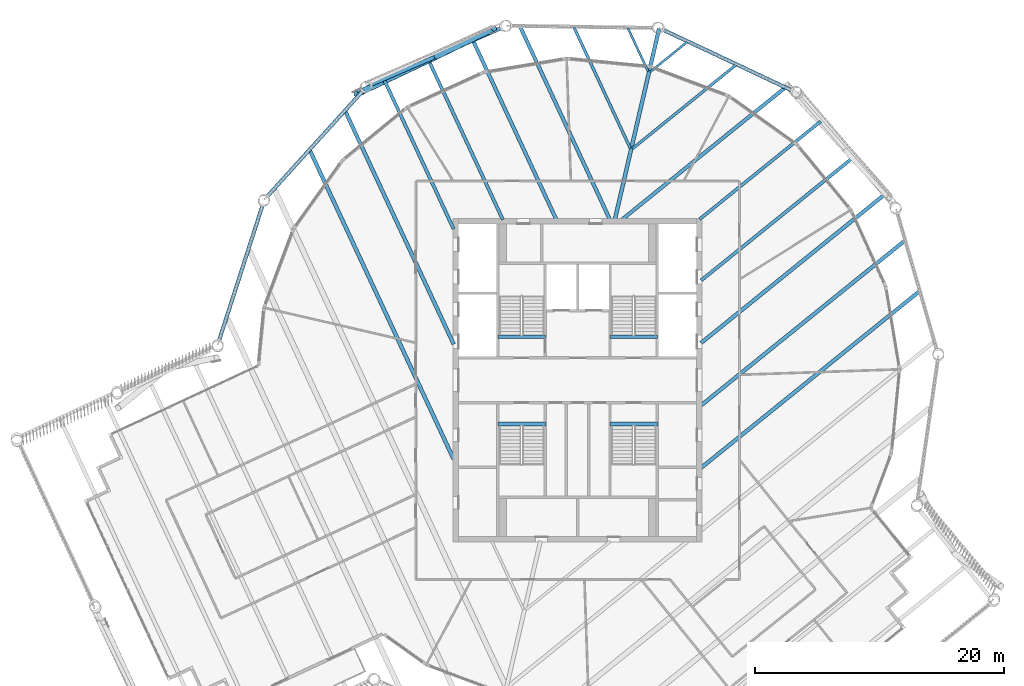
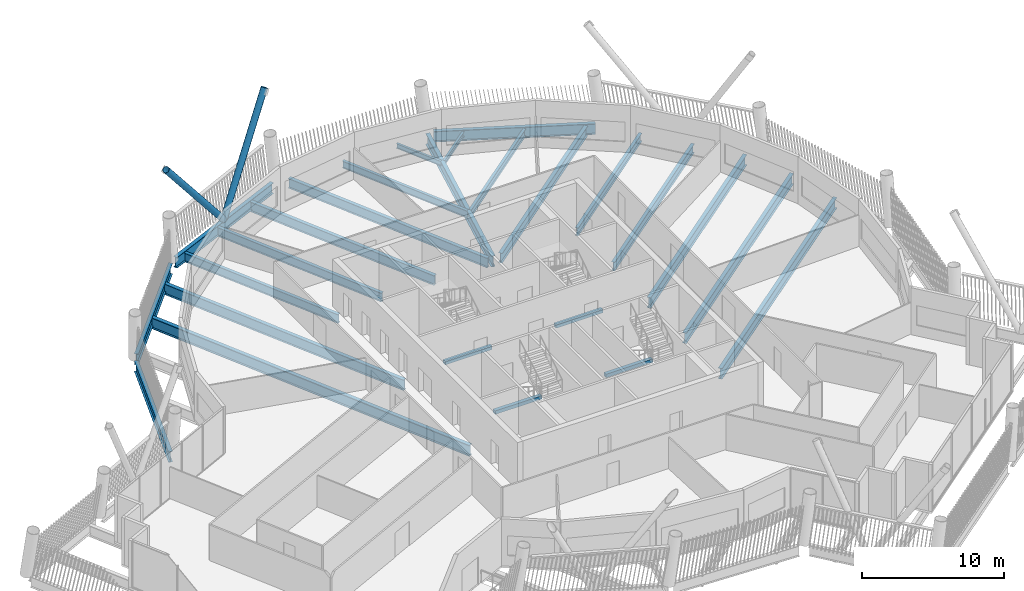
# One storey, part 13 of 36: 25 beams, 2 members.
"""IFC4 building model written with IfcOpenShell, lengths in metres."""

from ifc_helpers import new_model, si_unit, direction, frame, origin, origin_2d, place, context, subcontext, project, spatial, rectangle, hollow_circle, i_section, extrude, material, material_profile, profile_set, type_object, element, save


model = new_model("IFC4")

# Units and contexts
model_context = context("Model", 3, precision=1e-05, world=origin(), true_north=direction((0.0, 1.0)))
body_context = subcontext(model_context, "Body", "Model", "MODEL_VIEW")
ifc_project = project(units=[si_unit("LENGTHUNIT", "METRE"), si_unit("AREAUNIT", "SQUARE_METRE"), si_unit("VOLUMEUNIT", "CUBIC_METRE"), si_unit("PLANEANGLEUNIT", "RADIAN"), si_unit("MASSUNIT", "GRAM", prefix="KILO")], contexts=[model_context])

# Site, building, storey
site_placement = place(None, origin())
site = spatial("IfcSite", under=ifc_project, at=site_placement, CompositionType="ELEMENT")
building_placement = place(site_placement, origin())
building = spatial("IfcBuilding", under=site, at=building_placement, Name="Tarsis Ring Headquarters", CompositionType="ELEMENT")
storey_placement = place(building_placement, frame((0.0, 0.0, 386.0)))
storey = spatial("IfcBuildingStorey", under=building, at=storey_placement, Name="L91", CompositionType="ELEMENT", Elevation=386.0)

# Beams
ifc_material_1 = material(Name="Structural steel S355", Category="steel")
ifc_material_profile_1 = material_profile(ifc_material_1, i_section(OverallWidth=0.177734375, OverallDepth=0.406494140625, WebThickness=0.0078125, FlangeThickness=0.0126953125, at=origin_2d()), Name="W16x40")
ifc_profile_set_1 = profile_set([ifc_material_profile_1], Name="Structural steel S355")
beam_type_1 = type_object("IfcBeamType", Name="FB Floor beam W16x40", PredefinedType="JOIST", material=ifc_profile_set_1)
for number, where, z_axis, x_axis, name in (
    (1, (5.835205078125, 24.780517578125, -0.36328125), (0.777555326019, 0.628814531464, 0.0), (-0.628814531464, 0.777555326019, 0.0), "Floor beam FB1"),
    (2, (4.046142578125, 28.275146484375, -0.36328125), (0.421983246251, -0.906603628872, 0.0), (0.906603628872, 0.421983246251, 0.0), "Floor beam FB1"),
):
    element("IfcBeam", number, at=place(storey_placement, frame(where, z_axis=z_axis, x_axis=x_axis)), inside=storey, type_object=beam_type_1, Name=name, PredefinedType="JOIST", context=body_context, shape_type="SweptSolid", body=[
        extrude(i_section(OverallWidth=0.177734375, OverallDepth=0.406494140625, WebThickness=0.0078125, FlangeThickness=0.0126953125, at=origin_2d()), origin(), (0.0, 0.0, 1.0), 3.80810546875),
    ])
ifc_material_profile_2 = material_profile(ifc_material_1, i_section(OverallWidth=0.228271484375, OverallDepth=0.607177734375, WebThickness=0.01123046875, FlangeThickness=0.017333984375, at=origin_2d()), Name="W24x76")
ifc_profile_set_2 = profile_set([ifc_material_profile_2], Name="Structural steel S355")
beam_type_2 = type_object("IfcBeamType", Name="FB Floor beam W24x76", PredefinedType="JOIST", material=ifc_profile_set_2)
beam_1_placement = place(storey_placement, frame((4.40576171875, 18.609375, -0.463623046875), z_axis=(0.777593193334, 0.628767704069, 0.0), x_axis=(-0.628767704069, 0.777593193334, 0.0)))
element("IfcBeam", 3, at=beam_1_placement, inside=storey, type_object=beam_type_2, Name="Floor beam FB4", PredefinedType="JOIST", context=body_context, shape_type="SweptSolid", body=[
    extrude(i_section(OverallWidth=0.228271484375, OverallDepth=0.607177734375, WebThickness=0.01123046875, FlangeThickness=0.017333984375, at=origin_2d()), origin(), (0.0, 0.0, 1.0), 10.6875),
])
beam_2_placement = place(storey_placement, frame((-0.2861328125, 28.3408203125, -0.463623046875), z_axis=(0.421983614035, -0.906603457685, 0.0), x_axis=(0.906603457685, 0.421983614035, 0.0)))
element("IfcBeam", 4, at=beam_2_placement, inside=storey, type_object=beam_type_2, Name="Floor beam FB4", PredefinedType="JOIST", context=body_context, shape_type="SweptSolid", body=[
    extrude(i_section(OverallWidth=0.228271484375, OverallDepth=0.607177734375, WebThickness=0.01123046875, FlangeThickness=0.017333984375, at=origin_2d()), origin(), (0.0, 0.0, 1.0), 10.687744140625),
])
ifc_material_profile_3 = material_profile(ifc_material_1, i_section(OverallWidth=0.2529296875, OverallDepth=0.67822265625, WebThickness=0.01171875, FlangeThickness=0.016357421875, at=origin_2d()), Name="W27x84")
ifc_profile_set_3 = profile_set([ifc_material_profile_3], Name="Structural steel S355")
beam_type_3 = type_object("IfcBeamType", Name="FB Floor beam W27x84", PredefinedType="JOIST", material=ifc_profile_set_3)
beam_3_placement = place(storey_placement, frame((9.79638671875, 12.93701171875, -0.4990234375), z_axis=(0.777580447905, 0.628783465937, 0.0), x_axis=(-0.628783465937, 0.777580447905, 0.0)))
element("IfcBeam", 5, at=beam_3_placement, inside=storey, type_object=beam_type_3, Name="Floor beam FB5", PredefinedType="JOIST", context=body_context, shape_type="SweptSolid", body=[
    extrude(i_section(OverallWidth=0.2529296875, OverallDepth=0.67822265625, WebThickness=0.01171875, FlangeThickness=0.016357421875, at=origin_2d()), origin(), (0.0, 0.0, 1.0), 12.499267578125),
])
ifc_material_profile_4 = material_profile(ifc_material_1, i_section(OverallWidth=0.2666015625, OverallDepth=0.7568359375, WebThickness=0.013916015625, FlangeThickness=0.019287109375, at=origin_2d()), Name="W30x108")
ifc_profile_set_4 = profile_set([ifc_material_profile_4], Name="Structural steel S355")
beam_type_4 = type_object("IfcBeamType", Name="FB Floor beam W30x108", PredefinedType="JOIST", material=ifc_profile_set_4)
beam_4_placement = place(storey_placement, frame((9.922119140625, 8.0234375, -0.538330078125), z_axis=(0.777586048409, 0.628776540051, 0.0), x_axis=(-0.628776540051, 0.777586048409, 0.0)))
element("IfcBeam", 6, at=beam_4_placement, inside=storey, type_object=beam_type_4, Name="Floor beam FB6", PredefinedType="JOIST", context=body_context, shape_type="SweptSolid", body=[
    extrude(i_section(OverallWidth=0.2666015625, OverallDepth=0.7568359375, WebThickness=0.013916015625, FlangeThickness=0.019287109375, at=origin_2d()), origin(), (0.0, 0.0, 1.0), 15.592529296875),
])
beam_5_placement = place(storey_placement, frame((-11.96435546875, 25.70458984375, -0.538330078125), z_axis=(0.421982759606, -0.906603855383, 0.0), x_axis=(0.906603855383, 0.421982759606, 0.0)))
element("IfcBeam", 7, at=beam_5_placement, inside=storey, type_object=beam_type_4, Name="Floor beam FB6", PredefinedType="JOIST", context=body_context, shape_type="SweptSolid", body=[
    extrude(i_section(OverallWidth=0.2666015625, OverallDepth=0.7568359375, WebThickness=0.013916015625, FlangeThickness=0.019287109375, at=origin_2d()), origin(), (0.0, 0.0, 1.0), 14.11328125),
])
beam_6_placement = place(storey_placement, frame((-15.54296875, 24.150634765625, -0.538330078125), z_axis=(0.421995598682, -0.906597879268, 0.0), x_axis=(0.906597879268, 0.421995598682, 0.0)))
element("IfcBeam", 8, at=beam_6_placement, inside=storey, type_object=beam_type_4, Name="Floor beam FB6", PredefinedType="JOIST", context=body_context, shape_type="SweptSolid", body=[
    extrude(i_section(OverallWidth=0.2666015625, OverallDepth=0.7568359375, WebThickness=0.013916015625, FlangeThickness=0.019287109375, at=origin_2d()), origin(), (0.0, 0.0, 1.0), 13.235107421875),
])
ifc_material_profile_5 = material_profile(ifc_material_1, i_section(OverallWidth=0.2919921875, OverallDepth=0.835693359375, WebThickness=0.013916015625, FlangeThickness=0.018798828125, at=origin_2d()), Name="W33x118")
ifc_profile_set_5 = profile_set([ifc_material_profile_5], Name="Structural steel S355")
beam_type_5 = type_object("IfcBeamType", Name="FB Floor beam W33x118", PredefinedType="JOIST", material=ifc_profile_set_5)
beam_7_placement = place(storey_placement, frame((3.59375, 12.93701171875, -0.577880859375), z_axis=(0.777587781746, 0.628774396489, 0.0), x_axis=(-0.628774396489, 0.777587781746, 0.0)))
element("IfcBeam", 9, at=beam_7_placement, inside=storey, type_object=beam_type_5, Name="Floor beam FB7", PredefinedType="JOIST", context=body_context, shape_type="SweptSolid", body=[
    extrude(i_section(OverallWidth=0.2919921875, OverallDepth=0.835693359375, WebThickness=0.013916015625, FlangeThickness=0.018798828125, at=origin_2d()), origin(), (0.0, 0.0, 1.0), 16.773193359375),
])
beam_8_placement = place(storey_placement, frame((-4.618408203125, 28.406494140625, -0.577880859375), z_axis=(0.42198060052, -0.906604860336, 0.0), x_axis=(0.906604860336, 0.42198060052, 0.0)))
element("IfcBeam", 10, at=beam_8_placement, inside=storey, type_object=beam_type_5, Name="Floor beam FB7", PredefinedType="JOIST", context=body_context, shape_type="SweptSolid", body=[
    extrude(i_section(OverallWidth=0.2919921875, OverallDepth=0.835693359375, WebThickness=0.013916015625, FlangeThickness=0.018798828125, at=origin_2d()), origin(), (0.0, 0.0, 1.0), 17.093505859375),
])
beam_9_placement = place(storey_placement, frame((-8.385986328125, 27.258544921875, -0.577880859375), z_axis=(0.421987611664, -0.906601596956, 0.0), x_axis=(0.906601596956, 0.421987611664, 0.0)))
element("IfcBeam", 11, at=beam_9_placement, inside=storey, type_object=beam_type_5, Name="Floor beam FB7", PredefinedType="JOIST", context=body_context, shape_type="SweptSolid", body=[
    extrude(i_section(OverallWidth=0.2919921875, OverallDepth=0.835693359375, WebThickness=0.013916015625, FlangeThickness=0.018798828125, at=origin_2d()), origin(), (0.0, 0.0, 1.0), 15.827392578125),
])
ifc_material_profile_6 = material_profile(ifc_material_1, i_section(OverallWidth=0.3046875, OverallDepth=0.904296875, WebThickness=0.01513671875, FlangeThickness=0.02001953125, at=origin_2d()), Name="W36x135")
ifc_profile_set_6 = profile_set([ifc_material_profile_6], Name="Structural steel S355")
beam_type_6 = type_object("IfcBeamType", Name="FB Floor beam W36x135", PredefinedType="JOIST", material=ifc_profile_set_6)
beam_10_placement = place(storey_placement, frame((9.922119140625, 3.0078125, -0.612060546875), z_axis=(0.777586232051, 0.628776312948, 0.0), x_axis=(-0.628776312948, 0.777586232051, 0.0)))
element("IfcBeam", 12, at=beam_10_placement, inside=storey, type_object=beam_type_6, Name="Floor beam FB8", PredefinedType="JOIST", context=body_context, shape_type="SweptSolid", body=[
    extrude(i_section(OverallWidth=0.3046875, OverallDepth=0.904296875, WebThickness=0.01513671875, FlangeThickness=0.02001953125, at=origin_2d()), origin(), (0.0, 0.0, 1.0), 18.847412109375),
])
beam_11_placement = place(storey_placement, frame((9.922119140625, -2.007568359375, -0.612060546875), z_axis=(0.777589528722, 0.628772236046, 0.0), x_axis=(-0.628772236046, 0.777589528722, 0.0)))
element("IfcBeam", 13, at=beam_11_placement, inside=storey, type_object=beam_type_6, Name="Floor beam FB8", PredefinedType="JOIST", context=body_context, shape_type="SweptSolid", body=[
    extrude(i_section(OverallWidth=0.3046875, OverallDepth=0.904296875, WebThickness=0.01513671875, FlangeThickness=0.02001953125, at=origin_2d()), origin(), (0.0, 0.0, 1.0), 21.0087890625),
])
beam_12_placement = place(storey_placement, frame((-18.659912109375, 21.60546875, -0.612060546875), z_axis=(0.421982438401, -0.906604004889, 0.0), x_axis=(0.906604004889, 0.421982438401, 0.0)))
element("IfcBeam", 14, at=beam_12_placement, inside=storey, type_object=beam_type_6, Name="Floor beam FB8", PredefinedType="JOIST", context=body_context, shape_type="SweptSolid", body=[
    extrude(i_section(OverallWidth=0.3046875, OverallDepth=0.904296875, WebThickness=0.01513671875, FlangeThickness=0.02001953125, at=origin_2d()), origin(), (0.0, 0.0, 1.0), 20.6220703125),
])
ifc_material_profile_7 = material_profile(ifc_material_1, i_section(OverallWidth=0.3046875, OverallDepth=0.91943359375, WebThickness=0.017333984375, FlangeThickness=0.02783203125, at=origin_2d()), Name="W36x170")
ifc_profile_set_7 = profile_set([ifc_material_profile_7], Name="Structural steel S355")
beam_type_7 = type_object("IfcBeamType", Name="FB Floor beam W36x170", PredefinedType="JOIST", material=ifc_profile_set_7)
beam_13_placement = place(storey_placement, frame((9.922119140625, -7.023193359375, -0.61962890625), z_axis=(0.777587620012, 0.6287745965, 0.0), x_axis=(-0.6287745965, 0.777587620012, 0.0)))
element("IfcBeam", 15, at=beam_13_placement, inside=storey, type_object=beam_type_7, Name="Floor beam FB9", PredefinedType="JOIST", context=body_context, shape_type="SweptSolid", body=[
    extrude(i_section(OverallWidth=0.3046875, OverallDepth=0.91943359375, WebThickness=0.017333984375, FlangeThickness=0.02783203125, at=origin_2d()), origin(), (0.0, 0.0, 1.0), 22.518798828125),
])
ifc_material_profile_8 = material_profile(ifc_material_1, i_section(OverallWidth=0.309814453125, OverallDepth=0.949951171875, WebThickness=0.0244140625, FlangeThickness=0.0439453125, at=origin_2d()), Name="W36x256")
ifc_profile_set_8 = profile_set([ifc_material_profile_8], Name="Structural steel S355")
beam_type_8 = type_object("IfcBeamType", Name="FB Floor beam W36x256", PredefinedType="JOIST", material=ifc_profile_set_8)
beam_14_placement = place(storey_placement, frame((-21.501953125, 18.469482421875, -0.635009765625), z_axis=(0.421982409569, -0.906604018309, 0.0), x_axis=(0.906604018309, 0.421982409569, 0.0)))
element("IfcBeam", 16, at=beam_14_placement, inside=storey, type_object=beam_type_8, Name="Floor beam FB11", PredefinedType="JOIST", context=body_context, shape_type="SweptSolid", body=[
    extrude(i_section(OverallWidth=0.309814453125, OverallDepth=0.949951171875, WebThickness=0.0244140625, FlangeThickness=0.0439453125, at=origin_2d()), origin(), (0.0, 0.0, 1.0), 27.35693359375),
])
beam_type_9 = type_object("IfcBeamType", Name="FB Floor beam W36x256 spine", PredefinedType="BEAM", material=ifc_profile_set_8)
beam_15_placement = place(storey_placement, frame((6.541748046875, 28.244873046875, -0.635009765625), z_axis=(-0.225639526128, -0.974210862313, 0.0), x_axis=(0.974210862313, -0.225639526128, 0.0)))
element("IfcBeam", 17, at=beam_15_placement, inside=storey, type_object=beam_type_9, Name="Floor beam SB11", PredefinedType="BEAM", context=body_context, shape_type="SweptSolid", body=[
    extrude(i_section(OverallWidth=0.309814453125, OverallDepth=0.949951171875, WebThickness=0.0244140625, FlangeThickness=0.0439453125, at=origin_2d()), origin(), (0.0, 0.0, 1.0), 15.74853515625),
])
ifc_material_2 = material(Name="Concrete C40/50", Category="concrete")
ifc_material_profile_9 = material_profile(ifc_material_2, rectangle(XDim=0.300048828125, YDim=0.300048828125, at=origin_2d()), Name="Stair head beam 300x300 C40/50")
ifc_profile_set_9 = profile_set([ifc_material_profile_9], Name="Concrete C40/50")
beam_type_10 = type_object("IfcBeamType", Name="Stair head beam 300x300 C40/50", PredefinedType="BEAM", material=ifc_profile_set_9)
for number, where, z_axis, x_axis, name in (
    (18, (-6.39990234375, 3.510009765625, -0.31005859375), (1.0, 0.0, 0.0), (0.0, 1.0, 0.0), "Stair head beam L91 Firefighting stair"),
    (19, (2.60009765625, 3.510009765625, -0.31005859375), (1.0, 0.0, 0.0), (0.0, 1.0, 0.0), "Stair head beam L91 Exit stair B"),
    (20, (-6.39990234375, -3.510009765625, -0.31005859375), (1.0, 0.0, 0.0), (0.0, 1.0, 0.0), "Stair head beam L91 Exit stair C"),
    (21, (2.60009765625, -3.510009765625, -0.31005859375), (1.0, 0.0, 0.0), (0.0, 1.0, 0.0), "Stair head beam L91 Exit stair D"),
):
    element("IfcBeam", number, at=place(storey_placement, frame(where, z_axis=z_axis, x_axis=x_axis)), inside=storey, type_object=beam_type_10, Name=name, PredefinedType="BEAM", context=body_context, shape_type="SweptSolid", body=[
        extrude(rectangle(XDim=0.300048828125, YDim=0.300048828125, at=origin_2d()), origin(), (0.0, 0.0, 1.0), 3.7998046875),
    ])

# Members
ifc_material_profile_10 = material_profile(ifc_material_1, hollow_circle(Radius=0.25390625, WallThickness=0.02001953125, at=origin_2d()), Name="CHS 508x20")
ifc_profile_set_10 = profile_set([ifc_material_profile_10], Name="Structural steel S355")
member_type = type_object("IfcMemberType", Name="XD X brace CHS 508x20", PredefinedType="BRACE", material=ifc_profile_set_10)
member_1_placement = place(storey_placement, frame((-11.310791015625, 26.045654296875, 0.0), z_axis=(-0.585738467618, -0.278188711267, 0.761263087556), x_axis=(0.429010181799, -0.903299653445, 0.0)))
element("IfcMember", 22, at=member_1_placement, inside=storey, type_object=member_type, Name="X brace XD2", PredefinedType="BRACE", context=body_context, shape_type="SweptSolid", body=[
    extrude(hollow_circle(Radius=0.25390625, WallThickness=0.02001953125, at=origin_2d()), origin(), (0.0, 0.0, 1.0), 11.0341796875),
])
member_2_placement = place(storey_placement, frame((-11.310791015625, 26.045654296875, 0.0), z_axis=(0.466973386524, 0.225384866545, 0.855065797591), x_axis=(-0.434669983273, 0.90058980987, 0.0)))
element("IfcMember", 23, at=member_2_placement, inside=storey, type_object=member_type, Name="X brace XD2", PredefinedType="BRACE", context=body_context, shape_type="SweptSolid", body=[
    extrude(hollow_circle(Radius=0.25390625, WallThickness=0.02001953125, at=origin_2d()), origin(), (0.0, 0.0, 1.0), 9.82373046875),
])

# Beams
beam_type_11 = type_object("IfcBeamType", Name="XG Ring girder W36x170", PredefinedType="BEAM", material=ifc_profile_set_7)
beam_16_placement = place(storey_placement, frame((17.263916015625, 23.25732421875, -0.459716796875), z_axis=(-0.904741691855, 0.425960644918, 0.0), x_axis=(-0.425960644918, -0.904741691855, 0.0)))
element("IfcBeam", 24, at=beam_16_placement, inside=storey, type_object=beam_type_11, Name="Ring girder XG4", PredefinedType="BEAM", context=body_context, shape_type="SweptSolid", body=[
    extrude(i_section(OverallWidth=0.3046875, OverallDepth=0.91943359375, WebThickness=0.017333984375, FlangeThickness=0.02783203125, at=origin_2d()), origin(), (0.0, 0.0, 1.0), 11.42578125),
])
for number, where, z_axis, x_axis, name in (
    (25, (-6.070556640625, 28.3212890625, -0.459716796875), (-0.917244573441, -0.398324481413, 0.0), (0.398324481413, -0.917244573441, 0.0), "Ring girder XG4"),
    (26, (-17.20458984375, 23.30126953125, -0.459716796875), (-0.671509525842, -0.740995922191, 0.0), (0.740995922191, -0.671509525842, 0.0), "Ring girder XG4"),
    (27, (-25.279541015625, 14.13818359375, -0.459716796875), (-0.306384033412, -0.951907991389, 0.0), (0.951907991389, -0.306384033412, 0.0), "Ring girder XG4"),
):
    element("IfcBeam", number, at=place(storey_placement, frame(where, z_axis=z_axis, x_axis=x_axis)), inside=storey, type_object=beam_type_11, Name=name, PredefinedType="BEAM", context=body_context, shape_type="SweptSolid", body=[
        extrude(i_section(OverallWidth=0.3046875, OverallDepth=0.91943359375, WebThickness=0.017333984375, FlangeThickness=0.02783203125, at=origin_2d()), origin(), (0.0, 0.0, 1.0), 11.426025390625),
    ])

save(model, "model.ifc")
